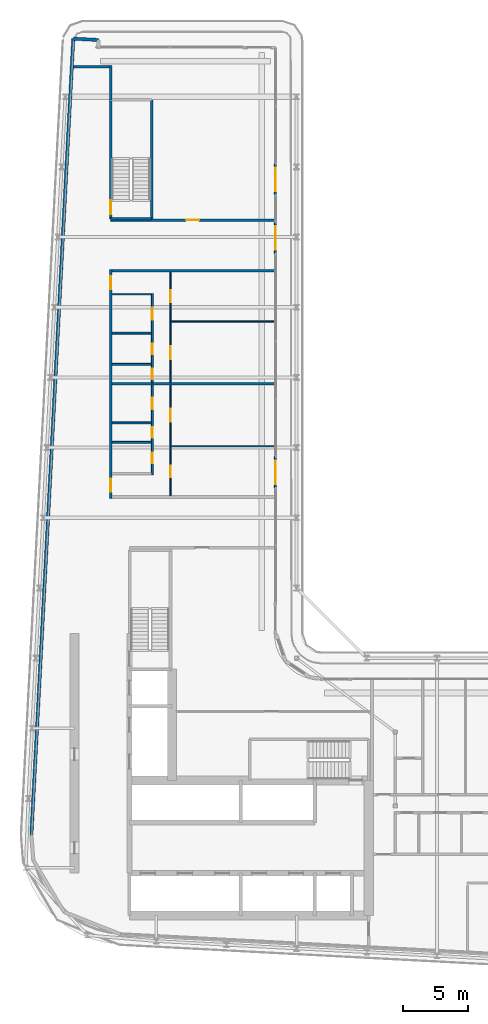
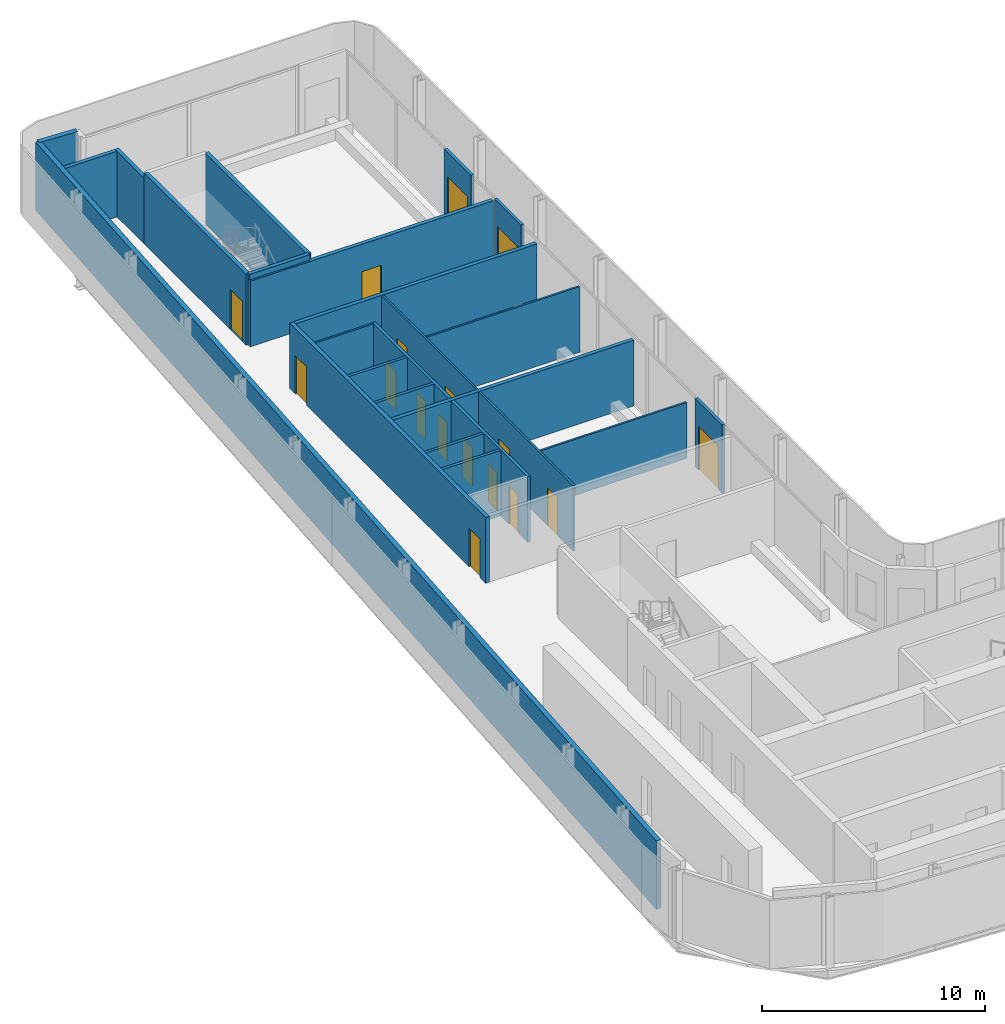
# One storey, part 13 of 21: 25 walls, 17 doors, 17 openings.
"""IFC4 building model written with IfcOpenShell, lengths in metres."""

import ifcopenshell
import ifcopenshell.guid

model = None  # the IFC model being written
_history = None  # IfcOwnerHistory: only IFC2X3 demands one
_inside = {}  # id of a spatial element -> (the spatial element, [elements in it])
_under = {}  # id of a project, library or spatial element -> (it, [spatial elements below it])
_declared = {}  # id of a project -> (the project, [libraries it declares])
_typed = {}  # id of a type object -> (the type object, [elements of that type])
_made_of = {}  # id of a material, layer set ... -> (it, [elements and type objects made of it])


def new_model(schema):
    """Start an empty IFC model of exactly this schema.

    Asked for "IFC4X3", IfcOpenShell would pick the latest addendum, in which some entities
    have other attributes; the version numbers below select the first issue.
    IFC2X3 requires an IfcOwnerHistory on every rooted entity: one is made here for all.
    """
    global model, _history
    if schema == "IFC4X3":
        model = ifcopenshell.file(schema_version=(4, 3, 0, 0))
    else:
        model = ifcopenshell.file(schema=schema)
    _inside.clear()
    _under.clear()
    _declared.clear()
    _typed.clear()
    _made_of.clear()
    _history = None
    if model.schema == "IFC2X3":
        org = make("IfcOrganization", Name="unknown")
        user = make(
            "IfcPersonAndOrganization",
            ThePerson=make("IfcPerson", FamilyName="unknown"),
            TheOrganization=org,
        )
        app = make(
            "IfcApplication",
            ApplicationDeveloper=org,
            Version="unknown",
            ApplicationFullName="unknown",
            ApplicationIdentifier="unknown",
        )
        _history = make(
            "IfcOwnerHistory",
            OwningUser=user,
            OwningApplication=app,
            ChangeAction="ADDED",
            CreationDate=0,
        )
    return model


def make(cls, **values):
    """One entity of the class cls with the attributes given. An attribute that is None is left unset."""
    return model.create_entity(
        cls, **{name: value for name, value in values.items() if value is not None}
    )


def rooted(cls, **values):
    """An entity with a GlobalId (a new one), such as an element, a storey or a relation."""
    return make(cls, GlobalId=ifcopenshell.guid.new(), OwnerHistory=_history, **values)


def si_unit(unit_type, name, prefix=None):
    """IfcSIUnit, for example si_unit("LENGTHUNIT", "METRE", prefix="MILLI")."""
    return make("IfcSIUnit", UnitType=unit_type, Prefix=prefix, Name=name)


def assignment(units):
    """IfcUnitAssignment: the units of a project."""
    return None if units is None else make("IfcUnitAssignment", Units=units)


def point(xyz):
    """IfcCartesianPoint."""
    return None if xyz is None else make("IfcCartesianPoint", Coordinates=xyz)


def direction(xyz):
    """IfcDirection."""
    return None if xyz is None else make("IfcDirection", DirectionRatios=xyz)


def frame(location, z_axis=None, x_axis=None):
    """IfcAxis2Placement3D, a coordinate frame: its origin and axes. An axis left out is left unset."""
    return make(
        "IfcAxis2Placement3D",
        Location=point(location),
        Axis=direction(z_axis),
        RefDirection=direction(x_axis),
    )


def frame_2d(location, x_axis=None):
    """IfcAxis2Placement2D, a coordinate frame in the plane: its origin and x axis."""
    return make(
        "IfcAxis2Placement2D", Location=point(location), RefDirection=direction(x_axis)
    )


def origin():
    """The frame at (0, 0, 0) with its axes left unset."""
    return frame((0.0, 0.0, 0.0))


def place(relative_to, where):
    """IfcLocalPlacement: puts the frame where relative to a parent placement (None: the world)."""
    return make(
        "IfcLocalPlacement", PlacementRelTo=relative_to, RelativePlacement=where
    )


def context(
    kind, dimensions, precision=None, world=None, true_north=None, identifier=None
):
    """IfcGeometricRepresentationContext, for example the 3D "Model" context."""
    return make(
        "IfcGeometricRepresentationContext",
        ContextIdentifier=identifier,
        ContextType=kind,
        CoordinateSpaceDimension=dimensions,
        Precision=precision,
        WorldCoordinateSystem=world,
        TrueNorth=true_north,
    )


def subcontext(parent, identifier, kind, view, scale=None):
    """IfcGeometricRepresentationSubContext, for example "Body" below "Model"."""
    return make(
        "IfcGeometricRepresentationSubContext",
        ContextIdentifier=identifier,
        ContextType=kind,
        ParentContext=parent,
        TargetScale=scale,
        TargetView=view,
    )


def project(units=None, contexts=None):
    """IfcProject with its units and contexts."""
    return rooted(
        "IfcProject",
        Name="project",
        RepresentationContexts=contexts,
        UnitsInContext=assignment(units),
    )


def spatial(cls, under=None, at=None, **own):
    """A site, building, storey or space (cls), placed at a placement, below another one or the project."""
    s = rooted(cls, ObjectPlacement=at, **own)
    if under is not None:
        _under.setdefault(under.id(), (under, []))[1].append(s)
    return s


def profile(cls, at=None, kind="AREA", **sizes):
    """A parametric profile (cls). Its sizes go by their IFC names, for example OverallWidth=200.0."""
    return make(cls, ProfileType=kind, Position=at, **sizes)


def rectangle(**sizes):
    """IfcRectangleProfileDef."""
    return profile("IfcRectangleProfileDef", **sizes)


def extrude(swept, where, along, depth):
    """IfcExtrudedAreaSolid: the profile swept, set in the frame where, extruded along a direction by depth."""
    return make(
        "IfcExtrudedAreaSolid",
        SweptArea=swept,
        Position=where,
        ExtrudedDirection=direction(along),
        Depth=depth,
    )


def shape(context_of_items, identifier, shape_type, items):
    """IfcShapeRepresentation: the items that make up one representation, for example the "Body"."""
    return make(
        "IfcShapeRepresentation",
        ContextOfItems=context_of_items,
        RepresentationIdentifier=identifier,
        RepresentationType=shape_type,
        Items=items,
    )


def source(mapping_origin, context_of_items, identifier, shape_type, items):
    """IfcRepresentationMap: a shape defined once, which mapped items show again and again."""
    return make(
        "IfcRepresentationMap",
        MappingOrigin=mapping_origin,
        MappedRepresentation=shape(context_of_items, identifier, shape_type, items),
    )


def transform(
    local_origin,
    x_axis=None,
    y_axis=None,
    z_axis=None,
    scale=None,
    scale2=None,
    scale3=None,
    uniform=True,
):
    """IfcCartesianTransformationOperator3D, or its non-uniform kind. x_axis, y_axis, z_axis: its Axis1, 2, 3."""
    if uniform:
        return make(
            "IfcCartesianTransformationOperator3D",
            Axis1=direction(x_axis),
            Axis2=direction(y_axis),
            LocalOrigin=point(local_origin),
            Scale=scale,
            Axis3=direction(z_axis),
        )
    return make(
        "IfcCartesianTransformationOperator3DnonUniform",
        Axis1=direction(x_axis),
        Axis2=direction(y_axis),
        LocalOrigin=point(local_origin),
        Scale=scale,
        Axis3=direction(z_axis),
        Scale2=scale2,
        Scale3=scale3,
    )


def mapped(mapping_source, mapping_target):
    """IfcMappedItem: shows the shape of a source again, moved by a transform."""
    return make(
        "IfcMappedItem", MappingSource=mapping_source, MappingTarget=mapping_target
    )


def material(Name=None, Category=None):
    """IfcMaterial."""
    return make("IfcMaterial", Name=Name, Category=Category)


def layer(
    of_material, thickness, ventilated=None, Name=None, Category=None, Priority=None
):
    """IfcMaterialLayer: one layer of a wall or slab, of a material (None: an air gap)."""
    return make(
        "IfcMaterialLayer",
        Material=of_material,
        LayerThickness=thickness,
        IsVentilated=ventilated,
        Name=Name,
        Category=Category,
        Priority=Priority,
    )


def layer_set(layers, Name=None):
    """IfcMaterialLayerSet."""
    return make("IfcMaterialLayerSet", MaterialLayers=layers, LayerSetName=Name)


def made_of(thing, what):
    """Note that an element or type object is made of a material, layer set ...; save() writes the relation."""
    if what is not None:
        _made_of.setdefault(what.id(), (what, []))[1].append(thing)
    return thing


def type_object(cls, material=None, **own):
    """A type object (cls), such as IfcWallType, which elements share."""
    return made_of(rooted(cls, **own), material)


def element(
    cls,
    number,
    at=None,
    inside=None,
    cuts=None,
    type_object=None,
    material=None,
    context=None,
    identifier="Body",
    shape_type=None,
    held_by="IfcProductDefinitionShape",
    body=None,
    shapes=None,
    **own,
):
    """One element of the class cls, such as IfcWall. Its Tag is "e" and its number.

    at: its placement. inside: the storey or other place that contains it. cuts: it is an
    opening in that element (IfcRelVoidsElement). A single representation is given by context,
    identifier, shape_type and body (its items); several are given by shapes. held_by: the class
    of the entity that holds the representations. save() writes the other relations.
    """
    e = rooted(cls, Tag="e%d" % number, ObjectPlacement=at, **own)
    if body is not None:
        shapes = [shape(context, identifier, shape_type, body)]
    if shapes is not None:
        e.Representation = make(held_by, Representations=shapes)
    if inside is not None:
        _inside.setdefault(inside.id(), (inside, []))[1].append(e)
    if cuts is not None:
        rooted(
            "IfcRelVoidsElement", RelatingBuildingElement=cuts, RelatedOpeningElement=e
        )
    if type_object is not None:
        _typed.setdefault(type_object.id(), (type_object, []))[1].append(e)
    return made_of(e, material)


def fill(opening, filler):
    """IfcRelFillsElement: the door or window that sits in an opening."""
    return rooted(
        "IfcRelFillsElement",
        RelatingOpeningElement=opening,
        RelatedBuildingElement=filler,
    )


def aggregate(whole, parts):
    """IfcRelAggregates: a whole, such as a stair, and the parts it consists of."""
    return rooted("IfcRelAggregates", RelatingObject=whole, RelatedObjects=parts)


def save(model, path):
    """Write the relations noted so far, then the file.

    IfcRelAggregates (storeys below a building ...), IfcRelContainedInSpatialStructure (elements
    in a storey), IfcRelDefinesByType, IfcRelAssociatesMaterial and IfcRelDeclares: one each for
    every whole, place, type object, material and project.
    """
    for whole, parts in _under.values():
        aggregate(whole, parts)
    for where, things in _inside.values():
        rooted(
            "IfcRelContainedInSpatialStructure",
            RelatedElements=things,
            RelatingStructure=where,
        )
    for kind, things in _typed.values():
        rooted("IfcRelDefinesByType", RelatedObjects=things, RelatingType=kind)
    for what, things in _made_of.values():
        rooted("IfcRelAssociatesMaterial", RelatedObjects=things, RelatingMaterial=what)
    for by, libraries in _declared.values():
        rooted("IfcRelDeclares", RelatingContext=by, RelatedDefinitions=libraries)
    model.write(path)


model = new_model("IFC4")

# Units and contexts
model_context = context("Model", 3, precision=1e-05, world=origin(), true_north=direction((0.0, 1.0)))
body_context = subcontext(model_context, "Body", "Model", "MODEL_VIEW")
ifc_project = project(units=[si_unit("LENGTHUNIT", "METRE"), si_unit("AREAUNIT", "SQUARE_METRE"), si_unit("VOLUMEUNIT", "CUBIC_METRE"), si_unit("PLANEANGLEUNIT", "RADIAN"), si_unit("MASSUNIT", "GRAM", prefix="KILO")], contexts=[model_context])

# Site, building, storey
site_placement = place(None, origin())
site = spatial("IfcSite", under=ifc_project, at=site_placement, CompositionType="ELEMENT")
building_placement = place(site_placement, origin())
building = spatial("IfcBuilding", under=site, at=building_placement, Name="Kheshtan School and Residences Tower", CompositionType="ELEMENT")
storey_placement = place(building_placement, frame((0.0, 0.0, 231.800048828125)))
storey = spatial("IfcBuildingStorey", under=building, at=storey_placement, Name="L54", CompositionType="ELEMENT", Elevation=231.800048828125)

# Wall
ifc_material_1 = material(Name="Gypsum board on steel studs with fire boards", Category="steel")
ifc_layer_1 = layer(ifc_material_1, 0.199951171875)
ifc_layer_set_1 = layer_set([ifc_layer_1], Name="Corridor wall 200")
wall_type_1 = type_object("IfcWallType", Name="Corridor wall 200", PredefinedType="PARTITIONING", material=ifc_layer_set_1)
wall_1_placement = place(storey_placement, frame((30.432373046875, 91.10009765625, 0.0), z_axis=(0.0, 0.0, 1.0), x_axis=(1.0, 0.0, 0.0)))
element("IfcWall", 1, at=wall_1_placement, inside=storey, type_object=wall_type_1, Name="Partition L54-001", PredefinedType="PARTITIONING", context=body_context, shape_type="SweptSolid", body=[
    extrude(rectangle(XDim=2.767578125, YDim=0.199951171875, at=frame_2d((1.3837890625, 0.0))), origin(), (0.0, 0.0, 1.0), 3.599853515625),
])

# Wall, openings, doors
wall_2_placement = place(storey_placement, frame((33.300048828125, 57.89990234375, 0.0), z_axis=(0.0, 0.0, 1.0), x_axis=(0.0, 1.0, 0.0)))
wall_2 = element("IfcWall", 2, at=wall_2_placement, inside=storey, type_object=wall_type_1, Name="Partition L54-002", PredefinedType="PARTITIONING", context=body_context, shape_type="SweptSolid", body=[
    extrude(rectangle(XDim=17.60009765625, YDim=0.199951171875, at=frame_2d((8.800048828125, 0.0))), origin(), (0.0, 0.0, 1.0), 3.599853515625),
])
opening_1_placement = place(wall_2_placement, frame((0.5, 0.0, 0.0)))
opening_1 = element("IfcOpeningElement", 3, at=opening_1_placement, cuts=wall_2, Name="Opening D54-024", PredefinedType="OPENING", context=body_context, shape_type="SweptSolid", body=[
    extrude(rectangle(XDim=1.0, YDim=2.10009765625, at=frame_2d((0.5, 1.050048828125))), frame((0.0, 0.10986328125, 0.0), z_axis=(0.0, -1.0, 0.0), x_axis=(1.0, 0.0, 0.0)), (0.0, 0.0, 1.0), 0.219970703125),
])
opening_2_placement = place(wall_2_placement, frame((16.10009765625, 0.0, 0.0)))
opening_2 = element("IfcOpeningElement", 4, at=opening_2_placement, cuts=wall_2, Name="Opening D54-030", PredefinedType="OPENING", context=body_context, shape_type="SweptSolid", body=[
    extrude(rectangle(XDim=1.0, YDim=2.10009765625, at=frame_2d((0.5, 1.050048828125))), frame((0.0, 0.10986328125, 0.0), z_axis=(0.0, -1.0, 0.0), x_axis=(1.0, 0.0, 0.0)), (0.0, 0.0, 1.0), 0.219970703125),
])
ifc_material_2 = material(Name="Steel-framed fire-resisting door leaf", Category="steel")
door_type_1 = type_object("IfcDoorType", Name="Fire door FD30S 1000 x 2100", OperationType="SINGLE_SWING_LEFT", PredefinedType="DOOR", material=ifc_material_2)
shared_shape_1 = source(origin(), body_context, "Body", "SweptSolid", [
    extrude(rectangle(XDim=1.0, YDim=2.10009765625, at=frame_2d((0.5, 1.050048828125))), frame((0.0, 0.02490234375, 0.0), z_axis=(0.0, -1.0, 0.0), x_axis=(1.0, 0.0, 0.0)), (0.0, 0.0, 1.0), 0.050048828125),
])
door_1_placement = place(opening_1_placement, origin())
door_1 = element("IfcDoor", 5, at=door_1_placement, inside=storey, type_object=door_type_1, Name="Door D54-024", OperationType="SINGLE_SWING_RIGHT", OverallHeight=2.10009765625, OverallWidth=1.0, PredefinedType="DOOR", context=body_context, shape_type="MappedRepresentation", body=[
    mapped(shared_shape_1, transform((0.0, 0.0, 0.0), x_axis=(1.0, 0.0, 0.0), y_axis=(0.0, 1.0, 0.0), z_axis=(0.0, 0.0, 1.0), scale=1.0)),
])
fill(opening_1, door_1)
door_2_placement = place(opening_2_placement, origin())
door_2 = element("IfcDoor", 6, at=door_2_placement, inside=storey, type_object=door_type_1, Name="Door D54-030", OperationType="SINGLE_SWING_RIGHT", OverallHeight=2.10009765625, OverallWidth=1.0, PredefinedType="DOOR", context=body_context, shape_type="MappedRepresentation", body=[
    mapped(shared_shape_1, transform((0.0, 0.0, 0.0), x_axis=(1.0, 0.0, 0.0), y_axis=(0.0, 1.0, 0.0), z_axis=(0.0, 0.0, 1.0), scale=1.0)),
])
fill(opening_2, door_2)

# Wall, opening, door
wall_3_placement = place(storey_placement, frame((33.300048828125, 79.300048828125, 0.0), z_axis=(0.0, 0.0, 1.0), x_axis=(1.0, 0.0, 0.0)))
wall_3 = element("IfcWall", 7, at=wall_3_placement, inside=storey, type_object=wall_type_1, Name="Partition L54-003", PredefinedType="PARTITIONING", context=body_context, shape_type="SweptSolid", body=[
    extrude(rectangle(XDim=12.599853515625, YDim=0.199951171875, at=frame_2d((6.2998046875, 0.0))), origin(), (0.0, 0.0, 1.0), 3.599853515625),
])
opening_3_placement = place(wall_3_placement, frame((5.794921875, 0.0, 0.0)))
opening_3 = element("IfcOpeningElement", 8, at=opening_3_placement, cuts=wall_3, Name="Opening D54-036", PredefinedType="OPENING", context=body_context, shape_type="SweptSolid", body=[
    extrude(rectangle(XDim=1.0, YDim=2.10009765625, at=frame_2d((0.5, 1.050048828125))), frame((0.0, 0.10986328125, 0.0), z_axis=(0.0, -1.0, 0.0), x_axis=(1.0, 0.0, 0.0)), (0.0, 0.0, 1.0), 0.219970703125),
])
door_type_2 = type_object("IfcDoorType", Name="Fire door FD60 1000 x 2100", OperationType="SINGLE_SWING_LEFT", PredefinedType="DOOR", material=ifc_material_2)
shared_shape_2 = source(origin(), body_context, "Body", "SweptSolid", [
    extrude(rectangle(XDim=1.0, YDim=2.10009765625, at=frame_2d((0.5, 1.050048828125))), frame((0.0, 0.02490234375, 0.0), z_axis=(0.0, -1.0, 0.0), x_axis=(1.0, 0.0, 0.0)), (0.0, 0.0, 1.0), 0.050048828125),
])
door_3_placement = place(opening_3_placement, origin())
door_3 = element("IfcDoor", 9, at=door_3_placement, inside=storey, type_object=door_type_2, Name="Door D54-036", OperationType="SINGLE_SWING_RIGHT", OverallHeight=2.10009765625, OverallWidth=1.0, PredefinedType="DOOR", context=body_context, shape_type="MappedRepresentation", body=[
    mapped(shared_shape_2, transform((0.0, 0.0, 0.0), x_axis=(1.0, 0.0, 0.0), y_axis=(0.0, 1.0, 0.0), z_axis=(0.0, 0.0, 1.0), scale=1.0)),
])
fill(opening_3, door_3)

# Walls
wall_4_placement = place(storey_placement, frame((33.300048828125, 88.56005859375, 0.0), z_axis=(0.0, 0.0, 1.0), x_axis=(0.0, 1.0, 0.0)))
element("IfcWall", 10, at=wall_4_placement, inside=storey, type_object=wall_type_1, Name="Partition L54-004", PredefinedType="PARTITIONING", context=body_context, shape_type="SweptSolid", body=[
    extrude(rectangle(XDim=2.639892578125, YDim=0.199951171875, at=frame_2d((1.31982421875, 0.0))), origin(), (0.0, 0.0, 1.0), 3.599853515625),
])
wall_5_placement = place(storey_placement, frame((33.39990234375, 75.39990234375, 0.0), z_axis=(0.0, 0.0, 1.0), x_axis=(1.0, 0.0, 0.0)))
element("IfcWall", 11, at=wall_5_placement, inside=storey, type_object=wall_type_1, Name="Partition L54-013", PredefinedType="PARTITIONING", context=body_context, shape_type="SweptSolid", body=[
    extrude(rectangle(XDim=12.5, YDim=0.199951171875, at=frame_2d((6.25, 0.0))), origin(), (0.0, 0.0, 1.0), 3.599853515625),
])
ifc_material_3 = material(Name="Concrete C40/50 with ceramic cladding and mineral wool insulation", Category="concrete")
ifc_layer_2 = layer(ifc_material_3, 0.25)
ifc_layer_set_2 = layer_set([ifc_layer_2], Name="External wall 250 ceramic clad")
wall_type_2 = type_object("IfcWallType", Name="External wall 250 ceramic clad", PredefinedType="SOLIDWALL", material=ifc_layer_set_2)
wall_6_placement = place(storey_placement, frame((30.4208984375, 93.263916015625, 0.0), z_axis=(0.0, 0.0, 1.0), x_axis=(0.998577785791, -0.053314216913, 0.0)))
element("IfcWall", 12, at=wall_6_placement, inside=storey, type_object=wall_type_2, Name="External wall L54 1", PredefinedType="SOLIDWALL", context=body_context, shape_type="SweptSolid", body=[
    extrude(rectangle(XDim=1.95068359375, YDim=0.25, at=frame_2d((0.975341796875, 0.0))), origin(), (0.0, 0.0, 1.0), 3.75),
])
wall_7_placement = place(storey_placement, frame((27.195068359375, 31.968994140625, 0.0), z_axis=(0.0, 0.0, 1.0), x_axis=(0.052555284099, 0.998618016117, 0.0)))
element("IfcWall", 13, at=wall_7_placement, inside=storey, type_object=wall_type_2, Name="External wall L54 16", PredefinedType="SOLIDWALL", context=body_context, shape_type="SweptSolid", body=[
    extrude(rectangle(XDim=61.379638671875, YDim=0.25, at=frame_2d((30.68994140625, 0.0))), origin(), (0.0, 0.0, 1.0), 3.75),
])

# Wall, opening, door
ifc_material_4 = material(Name="Aluminium frame wall with insulated infill", Category="aluminium")
ifc_layer_3 = layer(ifc_material_4, 0.14990234375)
ifc_layer_set_3 = layer_set([ifc_layer_3], Name="Glazing frame wall 150")
wall_type_3 = type_object("IfcWallType", Name="Glazing frame wall 150", PredefinedType="SOLIDWALL", material=ifc_layer_set_3)
wall_8_placement = place(storey_placement, frame((45.97509765625, 83.632080078125, 0.0), z_axis=(0.0, 0.0, 1.0), x_axis=(0.0, -1.0, 0.0)))
wall_8 = element("IfcWall", 14, at=wall_8_placement, inside=storey, type_object=wall_type_3, Name="Balcony door wall L54 4.1", PredefinedType="SOLIDWALL", context=body_context, shape_type="SweptSolid", body=[
    extrude(rectangle(XDim=2.399169921875, YDim=0.14990234375, at=frame_2d((1.19970703125, 0.0))), origin(), (0.0, 0.0, 1.0), 3.75),
])
opening_4_placement = place(wall_8_placement, frame((0.300048828125, 0.0, 0.0)))
opening_4 = element("IfcOpeningElement", 15, at=opening_4_placement, cuts=wall_8, Name="Opening BD", PredefinedType="OPENING", context=body_context, shape_type="SweptSolid", body=[
    extrude(rectangle(XDim=1.800048828125, YDim=2.39990234375, at=frame_2d((0.89990234375, 1.199951171875))), frame((0.0, 0.0849609375, 0.0), z_axis=(0.0, -1.0, 0.0), x_axis=(1.0, 0.0, 0.0)), (0.0, 0.0, 1.0), 0.169921875),
])
ifc_material_5 = material(Name="Clear low-e glass in thermally broken aluminium frame", Category="aluminium")
door_type_3 = type_object("IfcDoorType", Name="Balcony sliding door", OperationType="SLIDING_TO_LEFT", PredefinedType="DOOR", material=ifc_material_5)
shared_shape_3 = source(origin(), body_context, "Body", "SweptSolid", [
    extrude(rectangle(XDim=1.800048828125, YDim=2.39990234375, at=frame_2d((0.89990234375, 1.199951171875))), frame((0.0, 0.02490234375, 0.0), z_axis=(0.0, -1.0, 0.0), x_axis=(1.0, 0.0, 0.0)), (0.0, 0.0, 1.0), 0.050048828125),
])
door_4_placement = place(opening_4_placement, origin())
door_4 = element("IfcDoor", 16, at=door_4_placement, inside=storey, type_object=door_type_3, Name="Balcony door L54 4.1", OperationType="SLIDING_TO_LEFT", OverallHeight=2.39990234375, OverallWidth=1.800048828125, PredefinedType="DOOR", context=body_context, shape_type="MappedRepresentation", body=[
    mapped(shared_shape_3, transform((0.0, 0.0, 0.0), x_axis=(1.0, 0.0, 0.0), y_axis=(0.0, 1.0, 0.0), z_axis=(0.0, 0.0, 1.0), scale=1.0)),
])
fill(opening_4, door_4)

wall_9_placement = place(storey_placement, frame((45.97509765625, 79.132080078125, 0.0), z_axis=(0.0, 0.0, 1.0), x_axis=(0.0, -1.0, 0.0)))
wall_9 = element("IfcWall", 17, at=wall_9_placement, inside=storey, type_object=wall_type_3, Name="Balcony door wall L54 4.2", PredefinedType="SOLIDWALL", context=body_context, shape_type="SweptSolid", body=[
    extrude(rectangle(XDim=2.399169921875, YDim=0.14990234375, at=frame_2d((1.19970703125, 0.0))), origin(), (0.0, 0.0, 1.0), 3.75),
])
opening_5_placement = place(wall_9_placement, frame((0.300048828125, 0.0, 0.0)))
opening_5 = element("IfcOpeningElement", 18, at=opening_5_placement, cuts=wall_9, Name="Opening BD", PredefinedType="OPENING", context=body_context, shape_type="SweptSolid", body=[
    extrude(rectangle(XDim=1.800048828125, YDim=2.39990234375, at=frame_2d((0.89990234375, 1.199951171875))), frame((0.0, 0.0849609375, 0.0), z_axis=(0.0, -1.0, 0.0), x_axis=(1.0, 0.0, 0.0)), (0.0, 0.0, 1.0), 0.169921875),
])
door_5_placement = place(opening_5_placement, origin())
door_5 = element("IfcDoor", 19, at=door_5_placement, inside=storey, type_object=door_type_3, Name="Balcony door L54 4.2", OperationType="SLIDING_TO_LEFT", OverallHeight=2.39990234375, OverallWidth=1.800048828125, PredefinedType="DOOR", context=body_context, shape_type="MappedRepresentation", body=[
    mapped(shared_shape_3, transform((0.0, 0.0, 0.0), x_axis=(1.0, 0.0, 0.0), y_axis=(0.0, 1.0, 0.0), z_axis=(0.0, 0.0, 1.0), scale=1.0)),
])
fill(opening_5, door_5)

wall_10_placement = place(storey_placement, frame((45.97509765625, 61.096923828125, 0.0), z_axis=(0.0, 0.0, 1.0), x_axis=(0.0, -1.0, 0.0)))
wall_10 = element("IfcWall", 20, at=wall_10_placement, inside=storey, type_object=wall_type_3, Name="Balcony door wall L54 4.3", PredefinedType="SOLIDWALL", context=body_context, shape_type="SweptSolid", body=[
    extrude(rectangle(XDim=2.39990234375, YDim=0.14990234375, at=frame_2d((1.199951171875, 0.0))), origin(), (0.0, 0.0, 1.0), 3.75),
])
opening_6_placement = place(wall_10_placement, frame((0.300048828125, 0.0, 0.0)))
opening_6 = element("IfcOpeningElement", 21, at=opening_6_placement, cuts=wall_10, Name="Opening BD", PredefinedType="OPENING", context=body_context, shape_type="SweptSolid", body=[
    extrude(rectangle(XDim=1.800048828125, YDim=2.39990234375, at=frame_2d((0.89990234375, 1.199951171875))), frame((0.0, 0.0849609375, 0.0), z_axis=(0.0, -1.0, 0.0), x_axis=(1.0, 0.0, 0.0)), (0.0, 0.0, 1.0), 0.169921875),
])
door_6_placement = place(opening_6_placement, origin())
door_6 = element("IfcDoor", 22, at=door_6_placement, inside=storey, type_object=door_type_3, Name="Balcony door L54 4.3", OperationType="SLIDING_TO_LEFT", OverallHeight=2.39990234375, OverallWidth=1.800048828125, PredefinedType="DOOR", context=body_context, shape_type="MappedRepresentation", body=[
    mapped(shared_shape_3, transform((0.0, 0.0, 0.0), x_axis=(1.0, 0.0, 0.0), y_axis=(0.0, 1.0, 0.0), z_axis=(0.0, 0.0, 1.0), scale=1.0)),
])
fill(opening_6, door_6)

# Wall
ifc_material_6 = material(Name="Gypsum board on steel studs", Category="steel")
ifc_layer_4 = layer(ifc_material_6, 0.10009765625)
ifc_layer_set_4 = layer_set([ifc_layer_4], Name="Gypsum partition 100")
wall_type_4 = type_object("IfcWallType", Name="Gypsum partition 100", PredefinedType="PARTITIONING", material=ifc_layer_set_4)
wall_11_placement = place(storey_placement, frame((33.39990234375, 73.60009765625, 0.0), z_axis=(0.0, 0.0, 1.0), x_axis=(1.0, 0.0, 0.0)))
element("IfcWall", 23, at=wall_11_placement, inside=storey, type_object=wall_type_4, Name="Partition L54-012", PredefinedType="PARTITIONING", context=body_context, shape_type="SweptSolid", body=[
    extrude(rectangle(XDim=3.025146484375, YDim=0.10009765625, at=frame_2d((1.5126953125, 0.0))), origin(), (0.0, 0.0, 1.0), 3.599853515625),
])

# Wall, openings, doors
wall_12_placement = place(storey_placement, frame((37.89990234375, 58.10009765625, 0.0), z_axis=(0.0, 0.0, 1.0), x_axis=(0.0, 1.0, 0.0)))
wall_12 = element("IfcWall", 24, at=wall_12_placement, inside=storey, type_object=wall_type_4, Name="Partition L54-017", PredefinedType="PARTITIONING", context=body_context, shape_type="SweptSolid", body=[
    extrude(rectangle(XDim=8.5, YDim=0.10009765625, at=frame_2d((4.25, 0.0))), origin(), (0.0, 0.0, 1.0), 3.599853515625),
])
opening_7_placement = place(wall_12_placement, frame((1.39990234375, 0.0, 0.0)))
opening_7 = element("IfcOpeningElement", 25, at=opening_7_placement, cuts=wall_12, Name="Opening D54-023", PredefinedType="OPENING", context=body_context, shape_type="SweptSolid", body=[
    extrude(rectangle(XDim=0.89990234375, YDim=2.10009765625, at=frame_2d((0.449951171875, 1.050048828125))), frame((0.0, 0.06005859375, 0.0), z_axis=(0.0, -1.0, 0.0), x_axis=(1.0, 0.0, 0.0)), (0.0, 0.0, 1.0), 0.1201171875),
])
opening_8_placement = place(wall_12_placement, frame((5.699951171875, 0.0, 0.0)))
opening_8 = element("IfcOpeningElement", 26, at=opening_8_placement, cuts=wall_12, Name="Opening D54-026", PredefinedType="OPENING", context=body_context, shape_type="SweptSolid", body=[
    extrude(rectangle(XDim=1.0, YDim=2.10009765625, at=frame_2d((0.5, 1.050048828125))), frame((0.0, 0.06005859375, 0.0), z_axis=(0.0, -1.0, 0.0), x_axis=(1.0, 0.0, 0.0)), (0.0, 0.0, 1.0), 0.1201171875),
])
ifc_material_7 = material(Name="Veneered timber door leaf", Category="wood")
door_type_4 = type_object("IfcDoorType", Name="Door 1000 x 2100", OperationType="SINGLE_SWING_LEFT", PredefinedType="DOOR", material=ifc_material_7)
shared_shape_4 = source(origin(), body_context, "Body", "SweptSolid", [
    extrude(rectangle(XDim=1.0, YDim=2.10009765625, at=frame_2d((0.5, 1.050048828125))), frame((0.0, 0.02490234375, 0.0), z_axis=(0.0, -1.0, 0.0), x_axis=(1.0, 0.0, 0.0)), (0.0, 0.0, 1.0), 0.050048828125),
])
door_7_placement = place(opening_8_placement, origin())
door_7 = element("IfcDoor", 27, at=door_7_placement, inside=storey, type_object=door_type_4, Name="Door D54-026", OperationType="SINGLE_SWING_LEFT", OverallHeight=2.10009765625, OverallWidth=1.0, PredefinedType="DOOR", context=body_context, shape_type="MappedRepresentation", body=[
    mapped(shared_shape_4, transform((0.0, 0.0, 0.0), x_axis=(1.0, 0.0, 0.0), y_axis=(0.0, 1.0, 0.0), z_axis=(0.0, 0.0, 1.0), scale=1.0)),
])
fill(opening_8, door_7)
door_type_5 = type_object("IfcDoorType", Name="Door 900 x 2100", OperationType="SINGLE_SWING_LEFT", PredefinedType="DOOR", material=ifc_material_7)
shared_shape_5 = source(origin(), body_context, "Body", "SweptSolid", [
    extrude(rectangle(XDim=0.89990234375, YDim=2.10009765625, at=frame_2d((0.449951171875, 1.050048828125))), frame((0.0, 0.02490234375, 0.0), z_axis=(0.0, -1.0, 0.0), x_axis=(1.0, 0.0, 0.0)), (0.0, 0.0, 1.0), 0.050048828125),
])
door_8_placement = place(opening_7_placement, origin())
door_8 = element("IfcDoor", 28, at=door_8_placement, inside=storey, type_object=door_type_5, Name="Door D54-023", OperationType="SINGLE_SWING_LEFT", OverallHeight=2.10009765625, OverallWidth=0.89990234375, PredefinedType="DOOR", context=body_context, shape_type="MappedRepresentation", body=[
    mapped(shared_shape_5, transform((0.0, 0.0, 0.0), x_axis=(1.0, 0.0, 0.0), y_axis=(0.0, 1.0, 0.0), z_axis=(0.0, 0.0, 1.0), scale=1.0)),
])
fill(opening_7, door_8)

wall_13_placement = place(storey_placement, frame((37.89990234375, 66.800048828125, 0.0), z_axis=(0.0, 0.0, 1.0), x_axis=(0.0, 1.0, 0.0)))
wall_13 = element("IfcWall", 29, at=wall_13_placement, inside=storey, type_object=wall_type_4, Name="Partition L54-018", PredefinedType="PARTITIONING", context=body_context, shape_type="SweptSolid", body=[
    extrude(rectangle(XDim=8.5, YDim=0.10009765625, at=frame_2d((4.25, 0.0))), origin(), (0.0, 0.0, 1.0), 3.599853515625),
])
opening_9_placement = place(wall_13_placement, frame((6.199951171875, 0.0, 0.0)))
opening_9 = element("IfcOpeningElement", 30, at=opening_9_placement, cuts=wall_13, Name="Opening D54-029", PredefinedType="OPENING", context=body_context, shape_type="SweptSolid", body=[
    extrude(rectangle(XDim=0.89990234375, YDim=2.10009765625, at=frame_2d((0.449951171875, 1.050048828125))), frame((0.0, 0.06005859375, 0.0), z_axis=(0.0, -1.0, 0.0), x_axis=(1.0, 0.0, 0.0)), (0.0, 0.0, 1.0), 0.1201171875),
])
opening_10_placement = place(wall_13_placement, frame((1.800048828125, 0.0, 0.0)))
opening_10 = element("IfcOpeningElement", 31, at=opening_10_placement, cuts=wall_13, Name="Opening D54-032", PredefinedType="OPENING", context=body_context, shape_type="SweptSolid", body=[
    extrude(rectangle(XDim=1.0, YDim=2.10009765625, at=frame_2d((0.5, 1.050048828125))), frame((0.0, 0.06005859375, 0.0), z_axis=(0.0, -1.0, 0.0), x_axis=(1.0, 0.0, 0.0)), (0.0, 0.0, 1.0), 0.1201171875),
])
door_9_placement = place(opening_10_placement, origin())
door_9 = element("IfcDoor", 32, at=door_9_placement, inside=storey, type_object=door_type_4, Name="Door D54-032", OperationType="SINGLE_SWING_RIGHT", OverallHeight=2.10009765625, OverallWidth=1.0, PredefinedType="DOOR", context=body_context, shape_type="MappedRepresentation", body=[
    mapped(shared_shape_4, transform((0.0, 0.0, 0.0), x_axis=(1.0, 0.0, 0.0), y_axis=(0.0, 1.0, 0.0), z_axis=(0.0, 0.0, 1.0), scale=1.0)),
])
fill(opening_10, door_9)
door_10_placement = place(opening_9_placement, origin())
door_10 = element("IfcDoor", 33, at=door_10_placement, inside=storey, type_object=door_type_5, Name="Door D54-029", OperationType="SINGLE_SWING_RIGHT", OverallHeight=2.10009765625, OverallWidth=0.89990234375, PredefinedType="DOOR", context=body_context, shape_type="MappedRepresentation", body=[
    mapped(shared_shape_5, transform((0.0, 0.0, 0.0), x_axis=(1.0, 0.0, 0.0), y_axis=(0.0, 1.0, 0.0), z_axis=(0.0, 0.0, 1.0), scale=1.0)),
])
fill(opening_9, door_10)

# Walls
wall_14_placement = place(storey_placement, frame((37.949951171875, 61.89990234375, 0.0), z_axis=(0.0, 0.0, 1.0), x_axis=(1.0, 0.0, 0.0)))
element("IfcWall", 34, at=wall_14_placement, inside=storey, type_object=wall_type_4, Name="Partition L54-019", PredefinedType="PARTITIONING", context=body_context, shape_type="SweptSolid", body=[
    extrude(rectangle(XDim=7.949951171875, YDim=0.10009765625, at=frame_2d((3.97509765625, 0.0))), origin(), (0.0, 0.0, 1.0), 3.072021484375),
])
wall_15_placement = place(storey_placement, frame((37.949951171875, 71.5, 0.0), z_axis=(0.0, 0.0, 1.0), x_axis=(1.0, 0.0, 0.0)))
element("IfcWall", 35, at=wall_15_placement, inside=storey, type_object=wall_type_4, Name="Partition L54-020", PredefinedType="PARTITIONING", context=body_context, shape_type="SweptSolid", body=[
    extrude(rectangle(XDim=7.949951171875, YDim=0.10009765625, at=frame_2d((3.97509765625, 0.0))), origin(), (0.0, 0.0, 1.0), 3.599853515625),
])
ifc_material_8 = material(Name="Concrete C40/50", Category="concrete")
ifc_layer_5 = layer(ifc_material_8, 0.199951171875)
ifc_layer_set_5 = layer_set([ifc_layer_5], Name="Stair enclosure wall 200 Concrete C40/50")
wall_type_5 = type_object("IfcWallType", Name="Stair enclosure wall 200 Concrete C40/50", PredefinedType="SHEAR", material=ifc_layer_set_5)
wall_16_placement = place(storey_placement, frame((33.300048828125, 79.39990234375, 0.0), z_axis=(0.0, 0.0, 1.0), x_axis=(1.0, 0.0, 0.0)))
element("IfcWall", 36, at=wall_16_placement, inside=storey, type_object=wall_type_5, Name="Stair enclosure wall ST3", PredefinedType="SHEAR", context=body_context, shape_type="SweptSolid", body=[
    extrude(rectangle(XDim=3.14990234375, YDim=0.199951171875, at=frame_2d((1.574951171875, 0.0))), origin(), (0.0, 0.0, 1.0), 3.89990234375),
])

# Wall, opening, door
wall_17_placement = place(storey_placement, frame((33.300048828125, 79.39990234375, 0.0), z_axis=(0.0, 0.0, 1.0), x_axis=(0.0, 1.0, 0.0)))
wall_17 = element("IfcWall", 37, at=wall_17_placement, inside=storey, type_object=wall_type_5, Name="Stair enclosure wall ST3", PredefinedType="SHEAR", context=body_context, shape_type="SweptSolid", body=[
    extrude(rectangle(XDim=9.16015625, YDim=0.199951171875, at=frame_2d((4.580078125, 0.0))), origin(), (0.0, 0.0, 1.0), 3.89990234375),
])
opening_11_placement = place(wall_17_placement, frame((0.35009765625, 0.0, 0.0)))
opening_11 = element("IfcOpeningElement", 38, at=opening_11_placement, cuts=wall_17, Name="Opening ST3D", PredefinedType="OPENING", context=body_context, shape_type="SweptSolid", body=[
    extrude(rectangle(XDim=1.10009765625, YDim=2.199951171875, at=frame_2d((0.550048828125, 1.10009765625))), frame((0.0, 0.10986328125, 0.0), z_axis=(0.0, -1.0, 0.0), x_axis=(1.0, 0.0, 0.0)), (0.0, 0.0, 1.0), 0.219970703125),
])
ifc_material_9 = material(Name="Steel door leaf, galvanised", Category="steel")
door_type_6 = type_object("IfcDoorType", Name="Stair door 1100 steel 90 min", OperationType="SINGLE_SWING_LEFT", PredefinedType="DOOR", material=ifc_material_9)
shared_shape_6 = source(origin(), body_context, "Body", "SweptSolid", [
    extrude(rectangle(XDim=1.10009765625, YDim=2.199951171875, at=frame_2d((0.550048828125, 1.10009765625))), frame((0.0, 0.02490234375, 0.0), z_axis=(0.0, -1.0, 0.0), x_axis=(1.0, 0.0, 0.0)), (0.0, 0.0, 1.0), 0.050048828125),
])
door_11_placement = place(opening_11_placement, origin())
door_11 = element("IfcDoor", 39, at=door_11_placement, inside=storey, type_object=door_type_6, Name="Stair ST3 door", OperationType="SINGLE_SWING_RIGHT", OverallHeight=2.199951171875, OverallWidth=1.10009765625, PredefinedType="DOOR", context=body_context, shape_type="MappedRepresentation", body=[
    mapped(shared_shape_6, transform((0.0, 0.0, 0.0), x_axis=(1.0, 0.0, 0.0), y_axis=(0.0, 1.0, 0.0), z_axis=(0.0, 0.0, 1.0), scale=1.0)),
])
fill(opening_11, door_11)

# Walls
wall_18_placement = place(storey_placement, frame((36.449951171875, 79.39990234375, 0.0), z_axis=(0.0, 0.0, 1.0), x_axis=(0.0, 1.0, 0.0)))
element("IfcWall", 40, at=wall_18_placement, inside=storey, type_object=wall_type_5, Name="Stair enclosure wall ST3", PredefinedType="SHEAR", context=body_context, shape_type="SweptSolid", body=[
    extrude(rectangle(XDim=9.16015625, YDim=0.199951171875, at=frame_2d((4.580078125, 0.0))), origin(), (0.0, 0.0, 1.0), 3.89990234375),
])
ifc_material_10 = material(Name="Twin gypsum board on steel studs with mineral wool", Category="steel")
ifc_layer_6 = layer(ifc_material_10, 0.199951171875)
ifc_layer_set_6 = layer_set([ifc_layer_6], Name="Unit demising wall 200")
wall_type_6 = type_object("IfcWallType", Name="Unit demising wall 200", PredefinedType="PARTITIONING", material=ifc_layer_set_6)
wall_19_placement = place(storey_placement, frame((33.39990234375, 66.699951171875, 0.0), z_axis=(0.0, 0.0, 1.0), x_axis=(1.0, 0.0, 0.0)))
element("IfcWall", 41, at=wall_19_placement, inside=storey, type_object=wall_type_6, Name="Partition L54-009", PredefinedType="PARTITIONING", context=body_context, shape_type="SweptSolid", body=[
    extrude(rectangle(XDim=12.5, YDim=0.199951171875, at=frame_2d((6.25, 0.0))), origin(), (0.0, 0.0, 1.0), 3.599853515625),
])
ifc_material_11 = material(Name="Moisture-resistant gypsum board on steel studs", Category="steel")
ifc_layer_7 = layer(ifc_material_11, 0.14990234375)
ifc_layer_set_7 = layer_set([ifc_layer_7], Name="Wet-room partition 150")
wall_type_7 = type_object("IfcWallType", Name="Wet-room partition 150", PredefinedType="PARTITIONING", material=ifc_layer_set_7)
for number, where, z_axis, x_axis, name in (
    (42, (33.39990234375, 62.199951171875, 0.0), (0.0, 0.0, 1.0), (1.0, 0.0, 0.0), "Partition L54-007"),
    (43, (33.39990234375, 63.699951171875, 0.0), (0.0, 0.0, 1.0), (1.0, 0.0, 0.0), "Partition L54-008"),
    (44, (33.39990234375, 68.199951171875, 0.0), (0.0, 0.0, 1.0), (1.0, 0.0, 0.0), "Partition L54-010"),
    (45, (33.39990234375, 70.60009765625, 0.0), (0.0, 0.0, 1.0), (1.0, 0.0, 0.0), "Partition L54-011"),
):
    element("IfcWall", number, at=place(storey_placement, frame(where, z_axis=z_axis, x_axis=x_axis)), inside=storey, type_object=wall_type_7, Name=name, PredefinedType="PARTITIONING", context=body_context, shape_type="SweptSolid", body=[
        extrude(rectangle(XDim=3.025146484375, YDim=0.14990234375, at=frame_2d((1.5126953125, 0.0))), origin(), (0.0, 0.0, 1.0), 3.599853515625),
    ])

# Wall, openings, doors
wall_20_placement = place(storey_placement, frame((36.5, 59.72509765625, 0.0), z_axis=(0.0, 0.0, 1.0), x_axis=(0.0, 1.0, 0.0)))
wall_20 = element("IfcWall", 46, at=wall_20_placement, inside=storey, type_object=wall_type_7, Name="Partition L54-015", PredefinedType="PARTITIONING", context=body_context, shape_type="SweptSolid", body=[
    extrude(rectangle(XDim=6.875, YDim=0.14990234375, at=frame_2d((3.4375, 0.0))), origin(), (0.0, 0.0, 1.0), 3.599853515625),
])
opening_12_placement = place(wall_20_placement, frame((0.875, 0.0, 0.0)))
opening_12 = element("IfcOpeningElement", 47, at=opening_12_placement, cuts=wall_20, Name="Opening D54-022", PredefinedType="OPENING", context=body_context, shape_type="SweptSolid", body=[
    extrude(rectangle(XDim=0.800048828125, YDim=2.10009765625, at=frame_2d((0.39990234375, 1.050048828125))), frame((0.0, 0.0849609375, 0.0), z_axis=(0.0, -1.0, 0.0), x_axis=(1.0, 0.0, 0.0)), (0.0, 0.0, 1.0), 0.169921875),
])
opening_13_placement = place(wall_20_placement, frame((5.02490234375, 0.0, 0.0)))
opening_13 = element("IfcOpeningElement", 48, at=opening_13_placement, cuts=wall_20, Name="Opening D54-025", PredefinedType="OPENING", context=body_context, shape_type="SweptSolid", body=[
    extrude(rectangle(XDim=0.89990234375, YDim=2.10009765625, at=frame_2d((0.449951171875, 1.050048828125))), frame((0.0, 0.0849609375, 0.0), z_axis=(0.0, -1.0, 0.0), x_axis=(1.0, 0.0, 0.0)), (0.0, 0.0, 1.0), 0.169921875),
])
opening_14_placement = place(wall_20_placement, frame((2.824951171875, 0.0, 0.0)))
opening_14 = element("IfcOpeningElement", 49, at=opening_14_placement, cuts=wall_20, Name="Opening D54-027", PredefinedType="OPENING", context=body_context, shape_type="SweptSolid", body=[
    extrude(rectangle(XDim=0.800048828125, YDim=2.10009765625, at=frame_2d((0.39990234375, 1.050048828125))), frame((0.0, 0.0849609375, 0.0), z_axis=(0.0, -1.0, 0.0), x_axis=(1.0, 0.0, 0.0)), (0.0, 0.0, 1.0), 0.169921875),
])
door_type_7 = type_object("IfcDoorType", Name="Door 800 x 2100", OperationType="SINGLE_SWING_LEFT", PredefinedType="DOOR", material=ifc_material_7)
shared_shape_7 = source(origin(), body_context, "Body", "SweptSolid", [
    extrude(rectangle(XDim=0.800048828125, YDim=2.10009765625, at=frame_2d((0.39990234375, 1.050048828125))), frame((0.0, 0.02490234375, 0.0), z_axis=(0.0, -1.0, 0.0), x_axis=(1.0, 0.0, 0.0)), (0.0, 0.0, 1.0), 0.050048828125),
])
door_12_placement = place(opening_12_placement, origin())
door_12 = element("IfcDoor", 50, at=door_12_placement, inside=storey, type_object=door_type_7, Name="Door D54-022", OperationType="SINGLE_SWING_LEFT", OverallHeight=2.10009765625, OverallWidth=0.800048828125, PredefinedType="DOOR", context=body_context, shape_type="MappedRepresentation", body=[
    mapped(shared_shape_7, transform((0.0, 0.0, 0.0), x_axis=(1.0, 0.0, 0.0), y_axis=(0.0, 1.0, 0.0), z_axis=(0.0, 0.0, 1.0), scale=1.0)),
])
fill(opening_12, door_12)
door_13_placement = place(opening_14_placement, origin())
door_13 = element("IfcDoor", 51, at=door_13_placement, inside=storey, type_object=door_type_7, Name="Door D54-027", OperationType="SINGLE_SWING_RIGHT", OverallHeight=2.10009765625, OverallWidth=0.800048828125, PredefinedType="DOOR", context=body_context, shape_type="MappedRepresentation", body=[
    mapped(shared_shape_7, transform((0.0, 0.0, 0.0), x_axis=(1.0, 0.0, 0.0), y_axis=(0.0, 1.0, 0.0), z_axis=(0.0, 0.0, 1.0), scale=1.0)),
])
fill(opening_14, door_13)
door_14_placement = place(opening_13_placement, origin())
door_14 = element("IfcDoor", 52, at=door_14_placement, inside=storey, type_object=door_type_5, Name="Door D54-025", OperationType="SINGLE_SWING_RIGHT", OverallHeight=2.10009765625, OverallWidth=0.89990234375, PredefinedType="DOOR", context=body_context, shape_type="MappedRepresentation", body=[
    mapped(shared_shape_5, transform((0.0, 0.0, 0.0), x_axis=(1.0, 0.0, 0.0), y_axis=(0.0, 1.0, 0.0), z_axis=(0.0, 0.0, 1.0), scale=1.0)),
])
fill(opening_13, door_14)

wall_21_placement = place(storey_placement, frame((36.5, 66.800048828125, 0.0), z_axis=(0.0, 0.0, 1.0), x_axis=(0.0, 1.0, 0.0)))
wall_21 = element("IfcWall", 53, at=wall_21_placement, inside=storey, type_object=wall_type_7, Name="Partition L54-016", PredefinedType="PARTITIONING", context=body_context, shape_type="SweptSolid", body=[
    extrude(rectangle(XDim=6.849853515625, YDim=0.14990234375, at=frame_2d((3.4248046875, 0.0))), origin(), (0.0, 0.0, 1.0), 3.599853515625),
])
opening_15_placement = place(wall_21_placement, frame((2.199951171875, 0.0, 0.0)))
opening_15 = element("IfcOpeningElement", 54, at=opening_15_placement, cuts=wall_21, Name="Opening D54-028", PredefinedType="OPENING", context=body_context, shape_type="SweptSolid", body=[
    extrude(rectangle(XDim=0.800048828125, YDim=2.10009765625, at=frame_2d((0.39990234375, 1.050048828125))), frame((0.0, 0.0849609375, 0.0), z_axis=(0.0, -1.0, 0.0), x_axis=(1.0, 0.0, 0.0)), (0.0, 0.0, 1.0), 0.169921875),
])
opening_16_placement = place(wall_21_placement, frame((4.85009765625, 0.0, 0.0)))
opening_16 = element("IfcOpeningElement", 55, at=opening_16_placement, cuts=wall_21, Name="Opening D54-031", PredefinedType="OPENING", context=body_context, shape_type="SweptSolid", body=[
    extrude(rectangle(XDim=0.89990234375, YDim=2.10009765625, at=frame_2d((0.449951171875, 1.050048828125))), frame((0.0, 0.0849609375, 0.0), z_axis=(0.0, -1.0, 0.0), x_axis=(1.0, 0.0, 0.0)), (0.0, 0.0, 1.0), 0.169921875),
])
opening_17_placement = place(wall_21_placement, frame((0.25, 0.0, 0.0)))
opening_17 = element("IfcOpeningElement", 56, at=opening_17_placement, cuts=wall_21, Name="Opening D54-033", PredefinedType="OPENING", context=body_context, shape_type="SweptSolid", body=[
    extrude(rectangle(XDim=0.800048828125, YDim=2.10009765625, at=frame_2d((0.39990234375, 1.050048828125))), frame((0.0, 0.0849609375, 0.0), z_axis=(0.0, -1.0, 0.0), x_axis=(1.0, 0.0, 0.0)), (0.0, 0.0, 1.0), 0.169921875),
])
door_15_placement = place(opening_15_placement, origin())
door_15 = element("IfcDoor", 57, at=door_15_placement, inside=storey, type_object=door_type_7, Name="Door D54-028", OperationType="SINGLE_SWING_RIGHT", OverallHeight=2.10009765625, OverallWidth=0.800048828125, PredefinedType="DOOR", context=body_context, shape_type="MappedRepresentation", body=[
    mapped(shared_shape_7, transform((0.0, 0.0, 0.0), x_axis=(1.0, 0.0, 0.0), y_axis=(0.0, 1.0, 0.0), z_axis=(0.0, 0.0, 1.0), scale=1.0)),
])
fill(opening_15, door_15)
door_16_placement = place(opening_17_placement, origin())
door_16 = element("IfcDoor", 58, at=door_16_placement, inside=storey, type_object=door_type_7, Name="Door D54-033", OperationType="SINGLE_SWING_RIGHT", OverallHeight=2.10009765625, OverallWidth=0.800048828125, PredefinedType="DOOR", context=body_context, shape_type="MappedRepresentation", body=[
    mapped(shared_shape_7, transform((0.0, 0.0, 0.0), x_axis=(1.0, 0.0, 0.0), y_axis=(0.0, 1.0, 0.0), z_axis=(0.0, 0.0, 1.0), scale=1.0)),
])
fill(opening_17, door_16)
door_17_placement = place(opening_16_placement, origin())
door_17 = element("IfcDoor", 59, at=door_17_placement, inside=storey, type_object=door_type_5, Name="Door D54-031", OperationType="SINGLE_SWING_RIGHT", OverallHeight=2.10009765625, OverallWidth=0.89990234375, PredefinedType="DOOR", context=body_context, shape_type="MappedRepresentation", body=[
    mapped(shared_shape_5, transform((0.0, 0.0, 0.0), x_axis=(1.0, 0.0, 0.0), y_axis=(0.0, 1.0, 0.0), z_axis=(0.0, 0.0, 1.0), scale=1.0)),
])
fill(opening_16, door_17)

save(model, "model.ifc")
